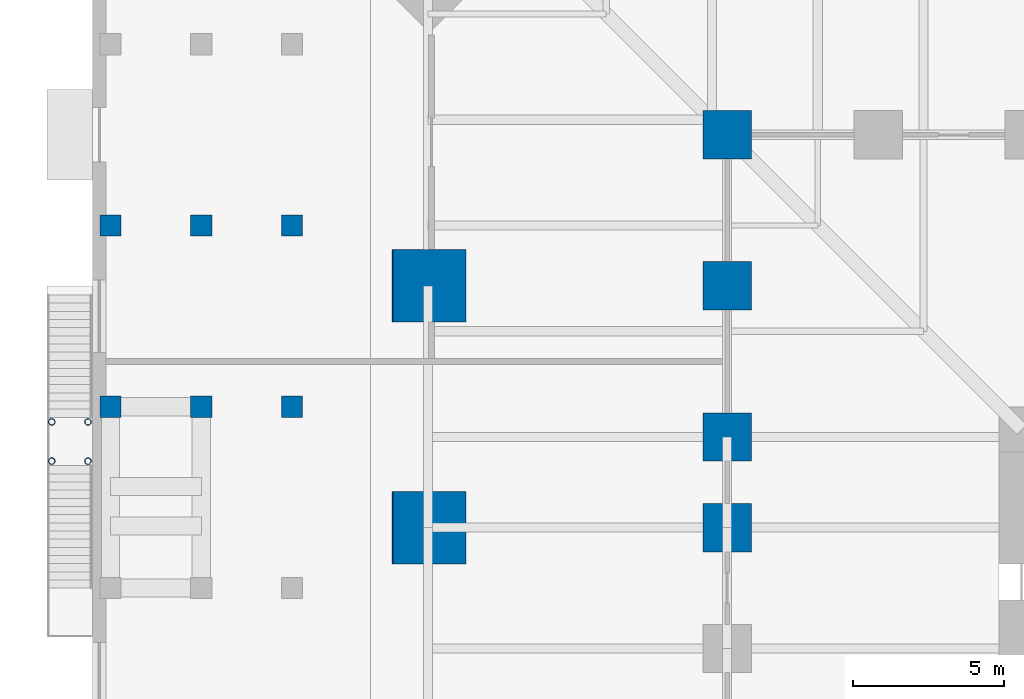
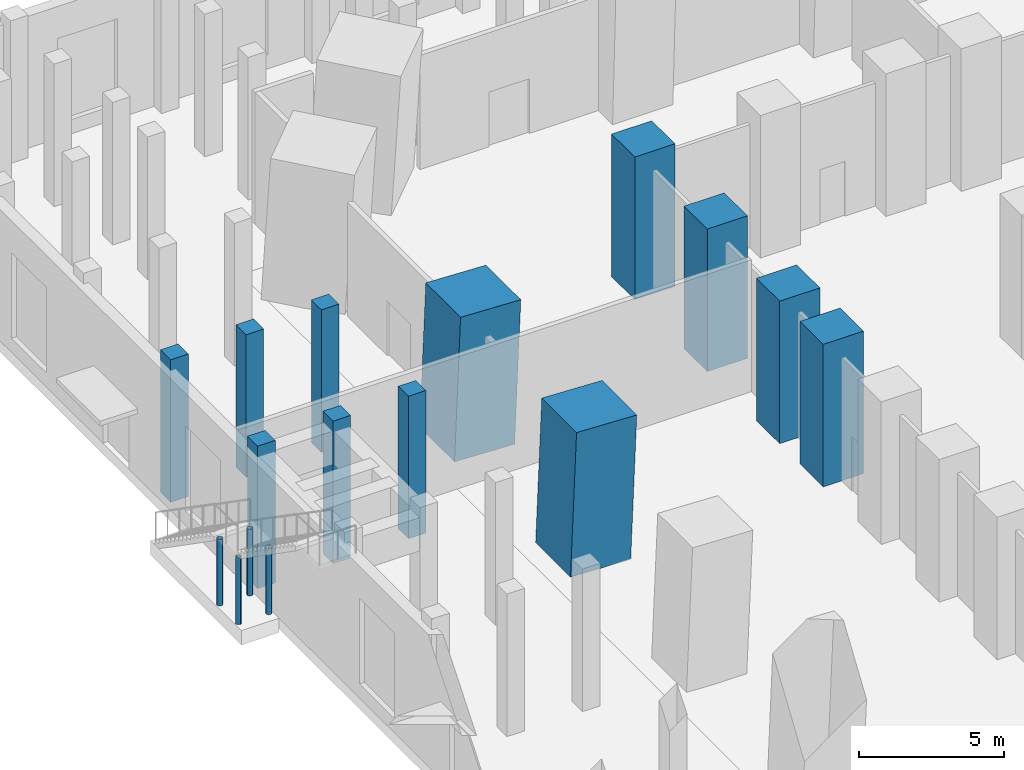
# One storey, part 4 of 20: 16 columns.
"""IFC4 building model written with IfcOpenShell, lengths in metres."""

from ifc_helpers import new_model, si_unit, direction, frame, origin, origin_2d, place, context, subcontext, project, spatial, rectangle, hollow_circle, extrude, material, material_profile, profile_set, type_object, element, save


model = new_model("IFC4")

# Units and contexts
model_context = context("Model", 3, precision=1e-05, world=origin(), true_north=direction((0.0, 1.0)))
body_context = subcontext(model_context, "Body", "Model", "MODEL_VIEW")
ifc_project = project(units=[si_unit("LENGTHUNIT", "METRE"), si_unit("AREAUNIT", "SQUARE_METRE"), si_unit("VOLUMEUNIT", "CUBIC_METRE"), si_unit("PLANEANGLEUNIT", "RADIAN"), si_unit("MASSUNIT", "GRAM", prefix="KILO")], contexts=[model_context])

# Site, building, storey
site_placement = place(None, origin())
site = spatial("IfcSite", under=ifc_project, at=site_placement, CompositionType="ELEMENT")
building_placement = place(site_placement, origin())
building = spatial("IfcBuilding", under=site, at=building_placement, Name="Peilmerk Tower", CompositionType="ELEMENT")
storey_placement = place(building_placement, origin())
storey = spatial("IfcBuildingStorey", under=building, at=storey_placement, Name="L00", CompositionType="ELEMENT", Elevation=0.0)

# Columns
ifc_material_1 = material(Name="Concrete C55/67", Category="concrete")
ifc_material_profile_1 = material_profile(ifc_material_1, rectangle(XDim=0.699951171875, YDim=0.699951171875, at=origin_2d()), Name="RC 700x700")
ifc_profile_set_1 = profile_set([ifc_material_profile_1], Name="Concrete C55/67")
column_type_1 = type_object("IfcColumnType", Name="PC1 700x700 podium column", PredefinedType="COLUMN", material=ifc_profile_set_1)
for number, where, z_axis, x_axis, name in (
    (1, (-35.39990234375, 12.0, 0.0), (0.0, 0.0, 1.0), (1.0, 0.0, 0.0), "Podium column ring A L00"),
    (2, (-35.39990234375, 18.0, 0.0), (0.0, 0.0, 1.0), (1.0, 0.0, 0.0), "Podium column ring A L00"),
    (3, (-38.39990234375, 12.0, 0.0), (0.0, 0.0, 1.0), (1.0, 0.0, 0.0), "Podium column ring B L00"),
    (4, (-38.39990234375, 18.0, 0.0), (0.0, 0.0, 1.0), (1.0, 0.0, 0.0), "Podium column ring B L00"),
    (5, (-41.39990234375, 12.0, 0.0), (0.0, 0.0, 1.0), (1.0, 0.0, 0.0), "Podium column ring C L00"),
    (6, (-41.39990234375, 18.0, 0.0), (0.0, 0.0, 1.0), (1.0, 0.0, 0.0), "Podium column ring C L00"),
):
    element("IfcColumn", number, at=place(storey_placement, frame(where, z_axis=z_axis, x_axis=x_axis)), inside=storey, type_object=column_type_1, Name=name, PredefinedType="COLUMN", context=body_context, shape_type="SweptSolid", body=[
        extrude(rectangle(XDim=0.699951171875, YDim=0.699951171875, at=origin_2d()), origin(), (0.0, 0.0, 1.0), 6.0),
    ])
ifc_material_2 = material(Name="Concrete C90/105", Category="concrete")
ifc_material_profile_2 = material_profile(ifc_material_2, rectangle(XDim=2.39990234375, YDim=2.39990234375, at=origin_2d()), Name="RC 2400x2400")
ifc_profile_set_2 = profile_set([ifc_material_profile_2], Name="Concrete C90/105")
column_type_2 = type_object("IfcColumnType", Name="SC1 2400x2400 encased perimeter column", PredefinedType="COLUMN", material=ifc_profile_set_2)
for number, where, z_axis, x_axis, name in (
    (7, (-30.896728515625, 8.0, 0.0), (0.0402911495, 0.0, 0.999187981949), (0.0, 1.0, 0.0), "Perimeter column W-8 L00"),
    (8, (-30.896728515625, 16.0, 0.0), (0.0402911495, 0.0, 0.999187981949), (0.0, 1.0, 0.0), "Perimeter column W-16 L00"),
):
    element("IfcColumn", number, at=place(storey_placement, frame(where, z_axis=z_axis, x_axis=x_axis)), inside=storey, type_object=column_type_2, Name=name, PredefinedType="COLUMN", context=body_context, shape_type="SweptSolid", body=[
        extrude(rectangle(XDim=2.39990234375, YDim=2.39990234375, at=origin_2d()), origin(), (0.0, 0.0, 1.0), 6.0048828125),
    ])
ifc_material_3 = material(Name="Steel S355", Category="steel")
ifc_material_profile_3 = material_profile(ifc_material_3, hollow_circle(Radius=0.109619140625, WallThickness=0.012451171875, at=origin_2d()), Name="CHS 219.1x12.5")
ifc_profile_set_3 = profile_set([ifc_material_profile_3], Name="Steel S355")
column_type_3 = type_object("IfcColumnType", Name="SC12 CHS 219.1x12.5 external stair post", PredefinedType="COLUMN", material=ifc_profile_set_3)
for number, where, z_axis, x_axis, name in (
    (9, (-43.35009765625, 10.199951171875, 0.0), (0.0, 0.0, 1.0), (1.0, 0.0, 0.0), "External stair 5 post L00"),
    (10, (-42.14990234375, 10.199951171875, 0.0), (0.0, 0.0, 1.0), (1.0, 0.0, 0.0), "External stair 5 post L00"),
    (11, (-43.35009765625, 11.5, 0.0), (0.0, 0.0, 1.0), (1.0, 0.0, 0.0), "External stair 5 post L00"),
    (12, (-42.14990234375, 11.5, 0.0), (0.0, 0.0, 1.0), (1.0, 0.0, 0.0), "External stair 5 post L00"),
):
    element("IfcColumn", number, at=place(storey_placement, frame(where, z_axis=z_axis, x_axis=x_axis)), inside=storey, type_object=column_type_3, Name=name, PredefinedType="COLUMN", context=body_context, shape_type="SweptSolid", body=[
        extrude(hollow_circle(Radius=0.109619140625, WallThickness=0.012451171875, at=origin_2d()), origin(), (0.0, 0.0, 1.0), 2.800048828125),
    ])
ifc_material_profile_4 = material_profile(ifc_material_2, rectangle(XDim=1.60009765625, YDim=1.60009765625, at=origin_2d()), Name="RC 1600x1600")
ifc_profile_set_4 = profile_set([ifc_material_profile_4], Name="Concrete C90/105")
column_type_4 = type_object("IfcColumnType", Name="SC2 1600x1600 encased interior column", PredefinedType="COLUMN", material=ifc_profile_set_4)
for number, where, z_axis, x_axis, name in (
    (13, (-21.0, 8.0, 0.0), (0.0, 0.0, 1.0), (1.0, 0.0, 0.0), "Interior column W-8 L00"),
    (14, (-21.0, 11.0, 0.0), (0.0, 0.0, 1.0), (1.0, 0.0, 0.0), "Interior column W-11 L00"),
    (15, (-21.0, 16.0, 0.0), (0.0, 0.0, 1.0), (1.0, 0.0, 0.0), "Interior column W-16 L00"),
    (16, (-21.0, 21.0, 0.0), (0.0, 0.0, 1.0), (1.0, 0.0, 0.0), "Interior column NW L00"),
):
    element("IfcColumn", number, at=place(storey_placement, frame(where, z_axis=z_axis, x_axis=x_axis)), inside=storey, type_object=column_type_4, Name=name, PredefinedType="COLUMN", context=body_context, shape_type="SweptSolid", body=[
        extrude(rectangle(XDim=1.60009765625, YDim=1.60009765625, at=origin_2d()), origin(), (0.0, 0.0, 1.0), 6.0),
    ])

save(model, "model.ifc")
